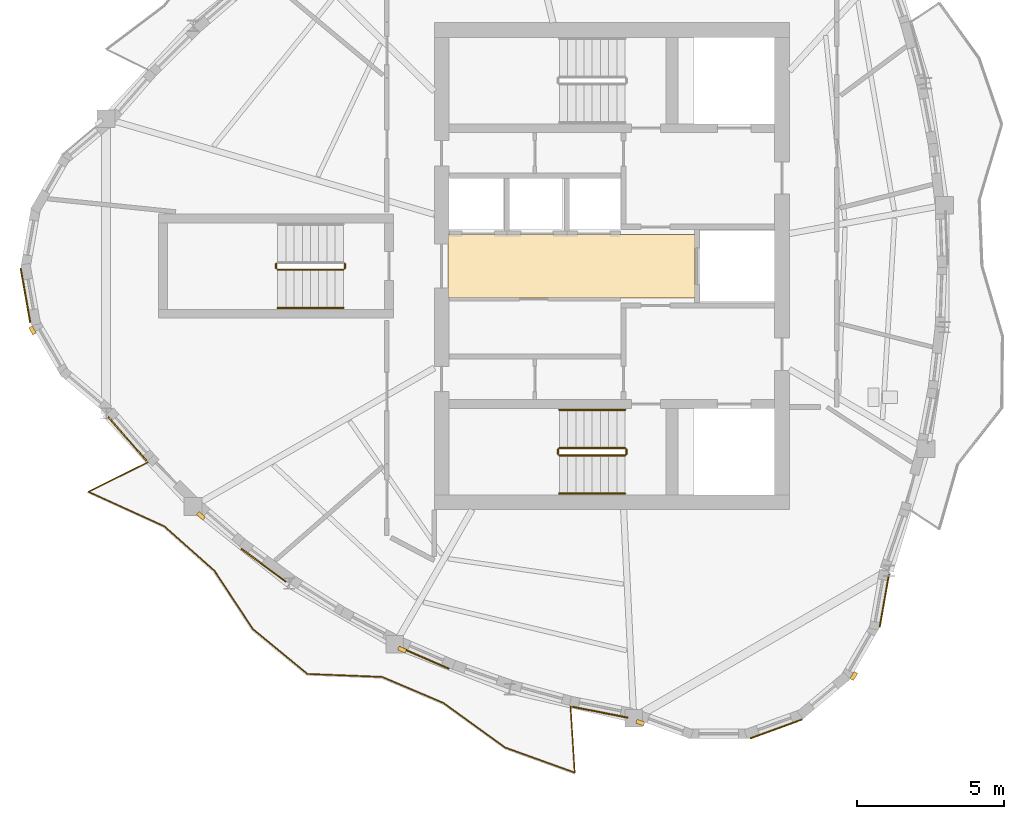
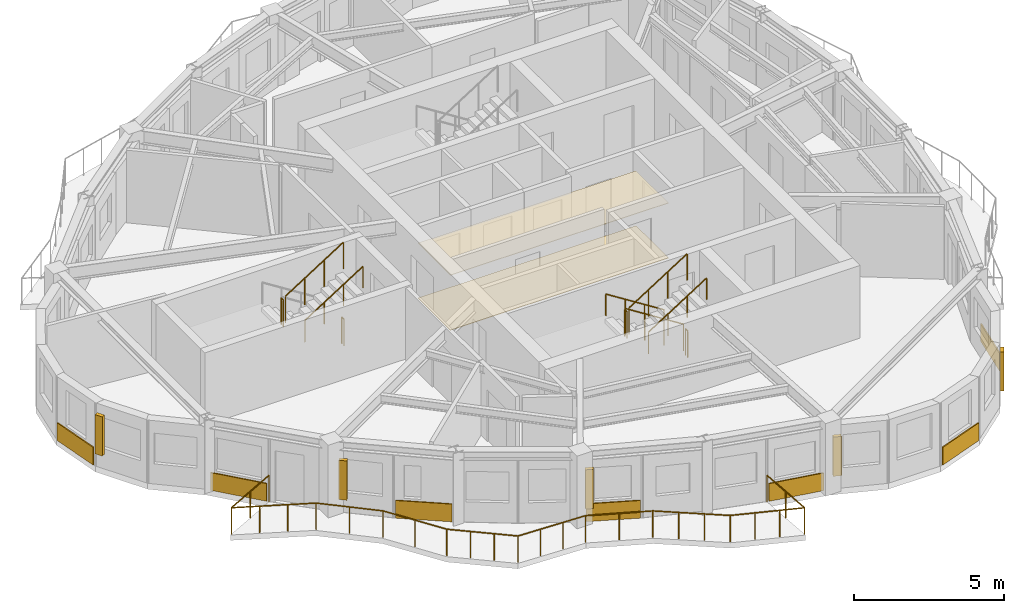
# One storey, part 8 of 11: 11 railings, 9 coverings, 5 shading devices.
"""IFC4 building model written with IfcOpenShell, lengths in metres."""

from ifc_helpers import new_model, si_unit, direction, frame, origin, origin_2d, place, context, subcontext, project, spatial, polyline, rectangle, circle, outline, extrude, source, transform, mapped, material, layer, layer_set, type_object, element, save


model = new_model("IFC4")

# Units and contexts
model_context = context("Model", 3, precision=1e-05, world=origin(), true_north=direction((0.0, 1.0)))
body_context = subcontext(model_context, "Body", "Model", "MODEL_VIEW")
ifc_project = project(units=[si_unit("LENGTHUNIT", "METRE"), si_unit("AREAUNIT", "SQUARE_METRE"), si_unit("VOLUMEUNIT", "CUBIC_METRE"), si_unit("PLANEANGLEUNIT", "RADIAN"), si_unit("MASSUNIT", "GRAM", prefix="KILO")], contexts=[model_context])

# Site, building, storey
site_placement = place(None, origin())
site = spatial("IfcSite", under=ifc_project, at=site_placement, CompositionType="ELEMENT")
building_placement = place(site_placement, origin())
building = spatial("IfcBuilding", under=site, at=building_placement, Name="Qafzar Sky-Pleat Residences", CompositionType="ELEMENT")
storey_placement = place(building_placement, frame((0.0, 0.0, 237.199951171875)))
storey = spatial("IfcBuildingStorey", under=building, at=storey_placement, Name="L71", CompositionType="ELEMENT", Elevation=237.199951171875)

# Coverings
ifc_material_1 = material(Name="Perforated acoustic gypsum board ceiling")
ifc_layer_1 = layer(ifc_material_1, 0.02001953125)
ifc_layer_set_1 = layer_set([ifc_layer_1], Name="Perforated acoustic gypsum board ceiling")
covering_type_1 = type_object("IfcCoveringType", Name="COV-CEIL-ACOUSTIC", PredefinedType="CEILING", material=ifc_layer_set_1)
covering_1_placement = place(storey_placement, frame((0.0, 0.0, 2.239990234375)))
element("IfcCovering", 1, at=covering_1_placement, inside=storey, type_object=covering_type_1, Name="L71 Passenger Lift Lobby Acoustic Ceiling", PredefinedType="CEILING", context=body_context, shape_type="SweptSolid", body=[
    extrude(outline(polyline([(33.179931640625, 24.919921875), (24.77001953125, 24.919921875), (24.77001953125, 27.080078125), (33.179931640625, 27.080078125), (33.179931640625, 24.919921875)])), origin(), (0.0, 0.0, 1.0), 0.02001953125),
])
ifc_material_2 = material(Name="Honed porcelain and Riyadh stone tile flooring", Category="masonry")
ifc_layer_2 = layer(ifc_material_2, 0.02001953125)
ifc_layer_set_2 = layer_set([ifc_layer_2], Name="Honed porcelain and Riyadh stone tile flooring")
covering_type_2 = type_object("IfcCoveringType", Name="COV-FLR-PORCELAIN", PredefinedType="FLOORING", material=ifc_layer_set_2)
covering_2_placement = place(storey_placement, origin())
element("IfcCovering", 2, at=covering_2_placement, inside=storey, type_object=covering_type_2, Name="L71 Passenger Lift Lobby Honed Stone Flooring", PredefinedType="FLOORING", context=body_context, shape_type="SweptSolid", body=[
    extrude(outline(polyline([(33.179931640625, 24.919921875), (24.77001953125, 24.919921875), (24.77001953125, 27.080078125), (33.179931640625, 27.080078125), (33.179931640625, 24.919921875)])), origin(), (0.0, 0.0, 1.0), 0.02001953125),
])

# Shading devices
ifc_material_3 = material(Name="Honed Riyadh limestone solar fin", Category="masonry")
ifc_layer_3 = layer(ifc_material_3, 0.139892578125)
ifc_layer_set_3 = layer_set([ifc_layer_3], Name="Honed Riyadh limestone solar fin")
shading_device_type = type_object("IfcShadingDeviceType", Name="SHD-FIN-STONE", PredefinedType="SHUTTER", material=ifc_layer_set_3)
shared_shape_1 = source(origin(), body_context, "Body", "SweptSolid", [
    extrude(rectangle(XDim=0.139892578125, YDim=0.280029296875, at=origin_2d()), origin(), (0.0, 0.0, 1.0), 1.60009765625),
])
for number, where, z_axis, x_axis, name in (
    (3, (10.6044921875, 23.80859375, 0.60009765625), (0.0, 0.0, 1.0), (-0.86604422228, -0.499967403994, 0.0), "L71 Limestone Solar Fin 5"),
    (4, (16.344482421875, 17.4892578125, 0.60009765625), (0.0, 0.0, 1.0), (-0.652846034361, -0.757490630582, 0.0), "L71 Limestone Solar Fin 9"),
    (5, (23.202392578125, 12.927734375, 0.60009765625), (0.0, 0.0, 1.0), (-0.398671879027, -0.917093633646, 0.0), "L71 Limestone Solar Fin 13"),
    (6, (31.318115234375, 10.443115234375, 0.60009765625), (0.0, 0.0, 1.0), (-0.342010122116, -0.939696268148, 0.0), "L71 Limestone Solar Fin 17"),
    (7, (38.595458984375, 12.03076171875, 0.60009765625), (0.0, 0.0, 1.0), (0.86603181203, -0.499988900429, 0.0), "L71 Limestone Solar Fin 21"),
):
    element("IfcShadingDevice", number, at=place(storey_placement, frame(where, z_axis=z_axis, x_axis=x_axis)), inside=storey, type_object=shading_device_type, Name=name, PredefinedType="SHUTTER", context=body_context, shape_type="MappedRepresentation", body=[
        mapped(shared_shape_1, transform((0.0, 0.0, 0.0), x_axis=(1.0, 0.0, 0.0), y_axis=(0.0, 1.0, 0.0), z_axis=(0.0, 0.0, 1.0), scale=1.0)),
    ])

# Coverings
ifc_material_4 = material(Name="Honed Riyadh Tuwaiq limestone cladding", Category="masonry")
ifc_layer_4 = layer(ifc_material_4, 0.044921875)
ifc_layer_set_4 = layer_set([ifc_layer_4], Name="Honed Riyadh Tuwaiq limestone cladding")
covering_type_3 = type_object("IfcCoveringType", Name="COV-CLAD-STONE", PredefinedType="CLADDING", material=ifc_layer_set_4)
shared_shape_2 = source(origin(), body_context, "Body", "SweptSolid", [
    extrude(rectangle(XDim=1.88134765625, YDim=0.044921875, at=origin_2d()), origin(), (0.0, 0.0, 1.0), 0.719970703125),
])
covering_3_placement = place(storey_placement, frame((10.36328125, 25.00439453125, 0.02001953125), z_axis=(0.0, 0.0, 1.0), x_axis=(0.173662519465, -0.984805224059, 0.0)))
element("IfcCovering", 8, at=covering_3_placement, inside=storey, type_object=covering_type_3, Name="L71 Riyadh Limestone Spandrel Cladding 4", PredefinedType="CLADDING", context=body_context, shape_type="MappedRepresentation", body=[
    mapped(shared_shape_2, transform((0.0, 0.0, 0.0), x_axis=(1.0, 0.0, 0.0), y_axis=(0.0, 1.0, 0.0), z_axis=(0.0, 0.0, 1.0), scale=1.0)),
])
shared_shape_3 = source(origin(), body_context, "Body", "SweptSolid", [
    extrude(rectangle(XDim=1.8291015625, YDim=0.044921875, at=origin_2d()), origin(), (0.0, 0.0, 1.0), 0.719970703125),
])
covering_4_placement = place(storey_placement, frame((39.63671875, 14.592041015625, 0.02001953125), z_axis=(0.0, 0.0, 1.0), x_axis=(0.173687091871, 0.984800890595, 0.0)))
element("IfcCovering", 9, at=covering_4_placement, inside=storey, type_object=covering_type_3, Name="L71 Riyadh Limestone Spandrel Cladding 22", PredefinedType="CLADDING", context=body_context, shape_type="MappedRepresentation", body=[
    mapped(shared_shape_3, transform((0.0, 0.0, 0.0), x_axis=(1.0, 0.0, 0.0), y_axis=(0.0, 1.0, 0.0), z_axis=(0.0, 0.0, 1.0), scale=1.0)),
])
shared_shape_4 = source(origin(), body_context, "Body", "SweptSolid", [
    extrude(rectangle(XDim=1.881103515625, YDim=0.044921875, at=origin_2d()), origin(), (0.0, 0.0, 1.0), 0.719970703125),
])
covering_5_placement = place(storey_placement, frame((35.9560546875, 10.228271484375, 0.02001953125), z_axis=(0.0, 0.0, 1.0), x_axis=(0.939709584691, 0.341973531784, 0.0)))
element("IfcCovering", 10, at=covering_5_placement, inside=storey, type_object=covering_type_3, Name="L71 Riyadh Limestone Spandrel Cladding 19", PredefinedType="CLADDING", context=body_context, shape_type="MappedRepresentation", body=[
    mapped(shared_shape_4, transform((0.0, 0.0, 0.0), x_axis=(1.0, 0.0, 0.0), y_axis=(0.0, 1.0, 0.0), z_axis=(0.0, 0.0, 1.0), scale=1.0)),
])

# Railing
ifc_material_5 = material(Name="Laminated glass and bronze steel balustrade", Category="steel")
railing_type_1 = type_object("IfcRailingType", Name="RAIL-BAL-1100", PredefinedType="BALUSTRADE", material=ifc_material_5)
shared_shape_5 = source(origin(), body_context, "Body", "SweptSolid", [
    extrude(circle(Radius=0.02392578125, at=origin_2d()), frame((0.0, 0.0, 1.076171875), z_axis=(-0.89564942383, -0.444760732971, 0.0), x_axis=(0.444760732971, -0.89564942383, 0.0)), (0.0, 0.0, 1.0), 2.27099609375),
    extrude(circle(Radius=0.02392578125, at=origin_2d()), frame((-2.033935546875, -1.010009765625, 1.076171875), z_axis=(0.910366477463, -0.413802944301, 0.0), x_axis=(0.413802944301, 0.910366477463, 0.0)), (0.0, 0.0, 1.0), 2.8408203125),
    extrude(circle(Radius=0.02392578125, at=origin_2d()), frame((0.55224609375, -2.185546875, 1.076171875), z_axis=(0.748363819433, -0.663288469494, 0.0), x_axis=(0.663288469494, 0.748363819433, 0.0)), (0.0, 0.0, 1.0), 2.2841796875),
    extrude(circle(Radius=0.02392578125, at=origin_2d()), frame((2.26171875, -3.70068359375, 1.076171875), z_axis=(0.550173671464, -0.835050256708, 0.0), x_axis=(0.835050256708, 0.550173671464, 0.0)), (0.0, 0.0, 1.0), 2.381591796875),
    extrude(circle(Radius=0.02392578125, at=origin_2d()), frame((3.572021484375, -5.689453125, 1.076171875), z_axis=(0.772459752686, -0.63506372159, 0.0), x_axis=(0.63506372159, 0.772459752686, 0.0)), (0.0, 0.0, 1.0), 2.40771484375),
    extrude(circle(Radius=0.02392578125, at=origin_2d()), frame((5.431884765625, -7.218505859375, 1.076171875), z_axis=(0.99920889914, -0.039769031662, 0.0), x_axis=(0.039769031662, 0.99920889914, 0.0)), (0.0, 0.0, 1.0), 2.547607421875),
    extrude(circle(Radius=0.02392578125, at=origin_2d()), frame((7.9775390625, -7.31982421875, 1.076171875), z_axis=(0.920510173291, -0.390718595498, 0.0), x_axis=(0.390718595498, 0.920510173291, 0.0)), (0.0, 0.0, 1.0), 2.266357421875),
    extrude(circle(Radius=0.02392578125, at=origin_2d()), frame((10.063720703125, -8.205322265625, 1.076171875), z_axis=(0.810582500659, -0.58562446126, 0.0), x_axis=(0.58562446126, 0.810582500659, 0.0)), (0.0, 0.0, 1.0), 2.595947265625),
    extrude(circle(Radius=0.02392578125, at=origin_2d()), frame((12.16796875, -9.7255859375, 1.076171875), z_axis=(0.940896046859, -0.338695481231, 0.0), x_axis=(0.338695481231, 0.940896046859, 0.0)), (0.0, 0.0, 1.0), 2.52294921875),
    extrude(circle(Radius=0.02392578125, at=origin_2d()), frame((14.541748046875, -10.580078125, 1.076171875), z_axis=(-0.062679484192, 0.998033707979, 0.0), x_axis=(-0.998033707979, -0.062679484192, 0.0)), (0.0, 0.0, 1.0), 2.270751953125),
    extrude(circle(Radius=0.02099609375, at=origin_2d()), origin(), (0.0, 0.0, 1.0), 1.052001953125),
    extrude(circle(Radius=0.02099609375, at=origin_2d()), frame((-1.01708984375, -0.5048828125, 0.0)), (0.0, 0.0, 1.0), 1.052001953125),
    extrude(circle(Radius=0.02099609375, at=origin_2d()), frame((-2.033935546875, -1.010009765625, 0.0)), (0.0, 0.0, 1.0), 1.052001953125),
    extrude(circle(Radius=0.02099609375, at=origin_2d()), frame((-1.171875, -1.40185546875, 0.0)), (0.0, 0.0, 1.0), 1.052001953125),
    extrude(circle(Radius=0.02099609375, at=origin_2d()), frame((-0.309814453125, -1.793701171875, 0.0)), (0.0, 0.0, 1.0), 1.052001953125),
    extrude(circle(Radius=0.02099609375, at=origin_2d()), frame((0.55224609375, -2.185546875, 0.0)), (0.0, 0.0, 1.0), 1.052001953125),
    extrude(circle(Radius=0.02099609375, at=origin_2d()), frame((1.406982421875, -2.943115234375, 0.0)), (0.0, 0.0, 1.0), 1.052001953125),
    extrude(circle(Radius=0.02099609375, at=origin_2d()), frame((2.26171875, -3.70068359375, 0.0)), (0.0, 0.0, 1.0), 1.052001953125),
    extrude(circle(Radius=0.02099609375, at=origin_2d()), frame((2.9169921875, -4.695068359375, 0.0)), (0.0, 0.0, 1.0), 1.052001953125),
    extrude(circle(Radius=0.02099609375, at=origin_2d()), frame((3.572021484375, -5.689453125, 0.0)), (0.0, 0.0, 1.0), 1.052001953125),
    extrude(circle(Radius=0.02099609375, at=origin_2d()), frame((4.19189453125, -6.19921875, 0.0)), (0.0, 0.0, 1.0), 1.052001953125),
    extrude(circle(Radius=0.02099609375, at=origin_2d()), frame((4.81201171875, -6.708740234375, 0.0)), (0.0, 0.0, 1.0), 1.052001953125),
    extrude(circle(Radius=0.02099609375, at=origin_2d()), frame((5.431884765625, -7.218505859375, 0.0)), (0.0, 0.0, 1.0), 1.052001953125),
    extrude(circle(Radius=0.02099609375, at=origin_2d()), frame((6.280517578125, -7.252197265625, 0.0)), (0.0, 0.0, 1.0), 1.052001953125),
    extrude(circle(Radius=0.02099609375, at=origin_2d()), frame((7.12890625, -7.2861328125, 0.0)), (0.0, 0.0, 1.0), 1.052001953125),
    extrude(circle(Radius=0.02099609375, at=origin_2d()), frame((7.9775390625, -7.31982421875, 0.0)), (0.0, 0.0, 1.0), 1.052001953125),
    extrude(circle(Radius=0.02099609375, at=origin_2d()), frame((9.0205078125, -7.7626953125, 0.0)), (0.0, 0.0, 1.0), 1.052001953125),
    extrude(circle(Radius=0.02099609375, at=origin_2d()), frame((10.063720703125, -8.205322265625, 0.0)), (0.0, 0.0, 1.0), 1.052001953125),
    extrude(circle(Radius=0.02099609375, at=origin_2d()), frame((10.76513671875, -8.712158203125, 0.0)), (0.0, 0.0, 1.0), 1.052001953125),
    extrude(circle(Radius=0.02099609375, at=origin_2d()), frame((11.466552734375, -9.21875, 0.0)), (0.0, 0.0, 1.0), 1.052001953125),
    extrude(circle(Radius=0.02099609375, at=origin_2d()), frame((12.16796875, -9.7255859375, 0.0)), (0.0, 0.0, 1.0), 1.052001953125),
    extrude(circle(Radius=0.02099609375, at=origin_2d()), frame((12.959228515625, -10.010498046875, 0.0)), (0.0, 0.0, 1.0), 1.052001953125),
    extrude(circle(Radius=0.02099609375, at=origin_2d()), frame((13.75048828125, -10.295166015625, 0.0)), (0.0, 0.0, 1.0), 1.052001953125),
    extrude(circle(Radius=0.02099609375, at=origin_2d()), frame((14.541748046875, -10.580078125, 0.0)), (0.0, 0.0, 1.0), 1.052001953125),
    extrude(circle(Radius=0.02099609375, at=origin_2d()), frame((14.470703125, -9.44677734375, 0.0)), (0.0, 0.0, 1.0), 1.052001953125),
    extrude(circle(Radius=0.02099609375, at=origin_2d()), frame((14.3994140625, -8.313720703125, 0.0)), (0.0, 0.0, 1.0), 1.052001953125),
])
railing_1_placement = place(storey_placement, frame((14.542724609375, 19.318359375, 0.0)))
element("IfcRailing", 11, at=railing_1_placement, inside=storey, type_object=railing_type_1, Name="L71 Pleated Balcony 3 Balustrade", PredefinedType="BALUSTRADE", context=body_context, shape_type="MappedRepresentation", body=[
    mapped(shared_shape_5, transform((0.0, 0.0, 0.0), x_axis=(1.0, 0.0, 0.0), y_axis=(0.0, 1.0, 0.0), z_axis=(0.0, 0.0, 1.0), scale=1.0)),
])

# Coverings
shared_shape_6 = source(origin(), body_context, "Body", "SweptSolid", [
    extrude(rectangle(XDim=1.99169921875, YDim=0.044921875, at=origin_2d()), origin(), (0.0, 0.0, 1.0), 0.719970703125),
])
covering_6_placement = place(storey_placement, frame((13.834228515625, 20.114013671875, 0.02001953125), z_axis=(0.0, 0.0, 1.0), x_axis=(0.657605136611, -0.753362783991, 0.0)))
element("IfcCovering", 12, at=covering_6_placement, inside=storey, type_object=covering_type_3, Name="L71 Riyadh Limestone Spandrel Cladding 7", PredefinedType="CLADDING", context=body_context, shape_type="MappedRepresentation", body=[
    mapped(shared_shape_6, transform((0.0, 0.0, 0.0), x_axis=(1.0, 0.0, 0.0), y_axis=(0.0, 1.0, 0.0), z_axis=(0.0, 0.0, 1.0), scale=1.0)),
])
shared_shape_7 = source(origin(), body_context, "Body", "SweptSolid", [
    extrude(rectangle(XDim=1.897216796875, YDim=0.044921875, at=origin_2d()), origin(), (0.0, 0.0, 1.0), 0.719970703125),
])
covering_7_placement = place(storey_placement, frame((18.48046875, 15.8046875, 0.02001953125), z_axis=(0.0, 0.0, 1.0), x_axis=(0.803820124784, -0.594872429174, 0.0)))
element("IfcCovering", 13, at=covering_7_placement, inside=storey, type_object=covering_type_3, Name="L71 Riyadh Limestone Spandrel Cladding 10", PredefinedType="CLADDING", context=body_context, shape_type="MappedRepresentation", body=[
    mapped(shared_shape_7, transform((0.0, 0.0, 0.0), x_axis=(1.0, 0.0, 0.0), y_axis=(0.0, 1.0, 0.0), z_axis=(0.0, 0.0, 1.0), scale=1.0)),
])
shared_shape_8 = source(origin(), body_context, "Body", "SweptSolid", [
    extrude(rectangle(XDim=1.83447265625, YDim=0.044921875, at=origin_2d()), origin(), (0.0, 0.0, 1.0), 0.719970703125),
])
covering_8_placement = place(storey_placement, frame((23.96240234375, 12.644287109375, 0.02001953125), z_axis=(0.0, 0.0, 1.0), x_axis=(0.917087215787, -0.398686642165, 0.0)))
element("IfcCovering", 14, at=covering_8_placement, inside=storey, type_object=covering_type_3, Name="L71 Riyadh Limestone Spandrel Cladding 13", PredefinedType="CLADDING", context=body_context, shape_type="MappedRepresentation", body=[
    mapped(shared_shape_8, transform((0.0, 0.0, 0.0), x_axis=(1.0, 0.0, 0.0), y_axis=(0.0, 1.0, 0.0), z_axis=(0.0, 0.0, 1.0), scale=1.0)),
])
shared_shape_9 = source(origin(), body_context, "Body", "SweptSolid", [
    extrude(rectangle(XDim=1.928466796875, YDim=0.044921875, at=origin_2d()), origin(), (0.0, 0.0, 1.0), 0.719970703125),
])
covering_9_placement = place(storey_placement, frame((29.951171875, 10.7958984375, 0.02001953125), z_axis=(0.0, 0.0, 1.0), x_axis=(0.98123037455, -0.192839187047, 0.0)))
element("IfcCovering", 15, at=covering_9_placement, inside=storey, type_object=covering_type_3, Name="L71 Riyadh Limestone Spandrel Cladding 16", PredefinedType="CLADDING", context=body_context, shape_type="MappedRepresentation", body=[
    mapped(shared_shape_9, transform((0.0, 0.0, 0.0), x_axis=(1.0, 0.0, 0.0), y_axis=(0.0, 1.0, 0.0), z_axis=(0.0, 0.0, 1.0), scale=1.0)),
])

# Railings
ifc_material_6 = material(Name="Painted Steel S355 stair guardrail", Category="steel")
railing_type_2 = type_object("IfcRailingType", Name="RAIL-STAIR-GUARD", PredefinedType="GUARDRAIL", material=ifc_material_6)
shared_shape_10 = source(origin(), body_context, "Body", "SweptSolid", [
    extrude(circle(Radius=0.02392578125, at=origin_2d()), frame((0.0, 0.0, 1.076171875), z_axis=(0.0, -1.0, 0.0), x_axis=(1.0, 0.0, 0.0)), (0.0, 0.0, 1.0), 0.14990234375),
    extrude(circle(Radius=0.02099609375, at=origin_2d()), origin(), (0.0, 0.0, 1.0), 1.052001953125),
    extrude(circle(Radius=0.02099609375, at=origin_2d()), frame((0.0, -0.14990234375, 0.0)), (0.0, 0.0, 1.0), 1.052001953125),
])
for number, where, name in (
    (16, (28.510009765625, 19.75, 1.60009765625), "L71 ST1 stair guard 2"),
    (17, (30.85009765625, 19.75, 0.0), "L71 ST1 stair guard 4"),
    (18, (18.909912109375, 26.074951171875, 1.60009765625), "L71 ST3 stair guard 2"),
    (19, (21.25, 26.074951171875, 0.0), "L71 ST3 stair guard 4"),
):
    element("IfcRailing", number, at=place(storey_placement, frame(where)), inside=storey, type_object=railing_type_2, Name=name, PredefinedType="GUARDRAIL", context=body_context, shape_type="MappedRepresentation", body=[
        mapped(shared_shape_10, transform((0.0, 0.0, 0.0), x_axis=(1.0, 0.0, 0.0), y_axis=(0.0, 1.0, 0.0), z_axis=(0.0, 0.0, 1.0), scale=1.0)),
    ])
shared_shape_11 = source(origin(), body_context, "Body", "SweptSolid", [
    extrude(circle(Radius=0.02392578125, at=origin_2d()), frame((0.0, 0.0, 1.076171875), z_axis=(0.8442293374, 0.0, 0.53598211339), x_axis=(0.0, 1.0, 0.0)), (0.0, 0.0, 1.0), 2.6533203125),
    extrude(circle(Radius=0.02099609375, at=origin_2d()), origin(), (0.0, 0.0, 1.0), 1.052001953125),
    extrude(circle(Radius=0.02099609375, at=origin_2d()), frame((0.74658203125, 0.0, 0.47412109375)), (0.0, 0.0, 1.0), 1.052001953125),
    extrude(circle(Radius=0.02099609375, at=origin_2d()), frame((1.493408203125, 0.0, 0.947998046875)), (0.0, 0.0, 1.0), 1.052001953125),
    extrude(circle(Radius=0.02099609375, at=origin_2d()), frame((2.239990234375, 0.0, 1.422119140625)), (0.0, 0.0, 1.0), 1.052001953125),
])
for number, where, name in (
    (20, (28.56005859375, 19.550048828125, 1.77783203125), "L71 ST1 stair guard 3"),
    (21, (18.9599609375, 25.875, 1.77783203125), "L71 ST3 stair guard 3"),
):
    element("IfcRailing", number, at=place(storey_placement, frame(where)), inside=storey, type_object=railing_type_2, Name=name, PredefinedType="GUARDRAIL", context=body_context, shape_type="MappedRepresentation", body=[
        mapped(shared_shape_11, transform((0.0, 0.0, 0.0), x_axis=(1.0, 0.0, 0.0), y_axis=(0.0, 1.0, 0.0), z_axis=(0.0, 0.0, 1.0), scale=1.0)),
    ])
ifc_material_7 = material(Name="Brushed stainless steel handrail", Category="steel")
railing_type_3 = type_object("IfcRailingType", Name="RAIL-STAIR-HAND", PredefinedType="HANDRAIL", material=ifc_material_7)
shared_shape_12 = source(origin(), body_context, "Body", "SweptSolid", [
    extrude(circle(Radius=0.02392578125, at=origin_2d()), frame((0.0, 0.0, 0.8759765625), z_axis=(0.8442293374, 0.0, 0.53598211339), x_axis=(0.0, 1.0, 0.0)), (0.0, 0.0, 1.0), 2.6533203125),
    extrude(circle(Radius=0.02099609375, at=origin_2d()), origin(), (0.0, 0.0, 1.0), 0.851806640625),
    extrude(circle(Radius=0.02099609375, at=origin_2d()), frame((0.74658203125, 0.0, 0.47412109375)), (0.0, 0.0, 1.0), 0.851806640625),
    extrude(circle(Radius=0.02099609375, at=origin_2d()), frame((1.493408203125, 0.0, 0.947998046875)), (0.0, 0.0, 1.0), 0.851806640625),
    extrude(circle(Radius=0.02099609375, at=origin_2d()), frame((2.239990234375, 0.0, 1.422119140625)), (0.0, 0.0, 1.0), 0.851806640625),
])
for number, where, name in (
    (22, (28.56005859375, 18.25, 1.77783203125), "L71 ST1 stair handrail 2"),
    (23, (18.9599609375, 24.574951171875, 1.77783203125), "L71 ST3 stair handrail 2"),
):
    element("IfcRailing", number, at=place(storey_placement, frame(where)), inside=storey, type_object=railing_type_3, Name=name, PredefinedType="HANDRAIL", context=body_context, shape_type="MappedRepresentation", body=[
        mapped(shared_shape_12, transform((0.0, 0.0, 0.0), x_axis=(1.0, 0.0, 0.0), y_axis=(0.0, 1.0, 0.0), z_axis=(0.0, 0.0, 1.0), scale=1.0)),
    ])
shared_shape_13 = source(origin(), body_context, "Body", "SweptSolid", [
    extrude(circle(Radius=0.02392578125, at=origin_2d()), frame((0.0, 0.0, 1.076171875), z_axis=(-0.84418770128, 0.0, 0.536047689118), x_axis=(0.0, -1.0, 0.0)), (0.0, 0.0, 1.0), 2.6533203125),
    extrude(circle(Radius=0.02099609375, at=origin_2d()), origin(), (0.0, 0.0, 1.0), 1.052001953125),
    extrude(circle(Radius=0.02099609375, at=origin_2d()), frame((-0.74658203125, 0.0, 0.47412109375)), (0.0, 0.0, 1.0), 1.052001953125),
    extrude(circle(Radius=0.02099609375, at=origin_2d()), frame((-1.493408203125, 0.0, 0.9482421875)), (0.0, 0.0, 1.0), 1.052001953125),
    extrude(circle(Radius=0.02099609375, at=origin_2d()), frame((-2.239990234375, 0.0, 1.42236328125)), (0.0, 0.0, 1.0), 1.052001953125),
])
railing_2_placement = place(storey_placement, frame((30.800048828125, 19.800048828125, 0.177734375)))
element("IfcRailing", 24, at=railing_2_placement, inside=storey, type_object=railing_type_2, Name="L71 ST1 stair guard 1", PredefinedType="GUARDRAIL", context=body_context, shape_type="MappedRepresentation", body=[
    mapped(shared_shape_13, transform((0.0, 0.0, 0.0), x_axis=(1.0, 0.0, 0.0), y_axis=(0.0, 1.0, 0.0), z_axis=(0.0, 0.0, 1.0), scale=1.0)),
])
shared_shape_14 = source(origin(), body_context, "Body", "SweptSolid", [
    extrude(circle(Radius=0.02392578125, at=origin_2d()), frame((0.0, 0.0, 0.8759765625), z_axis=(-0.84418770128, 0.0, 0.536047689118), x_axis=(0.0, -1.0, 0.0)), (0.0, 0.0, 1.0), 2.6533203125),
    extrude(circle(Radius=0.02099609375, at=origin_2d()), origin(), (0.0, 0.0, 1.0), 0.851806640625),
    extrude(circle(Radius=0.02099609375, at=origin_2d()), frame((-0.74658203125, 0.0, 0.47412109375)), (0.0, 0.0, 1.0), 0.851806640625),
    extrude(circle(Radius=0.02099609375, at=origin_2d()), frame((-1.493408203125, 0.0, 0.9482421875)), (0.0, 0.0, 1.0), 0.851806640625),
    extrude(circle(Radius=0.02099609375, at=origin_2d()), frame((-2.239990234375, 0.0, 1.42236328125)), (0.0, 0.0, 1.0), 0.851806640625),
])
railing_3_placement = place(storey_placement, frame((30.800048828125, 21.10009765625, 0.177734375)))
element("IfcRailing", 25, at=railing_3_placement, inside=storey, type_object=railing_type_3, Name="L71 ST1 stair handrail 1", PredefinedType="HANDRAIL", context=body_context, shape_type="MappedRepresentation", body=[
    mapped(shared_shape_14, transform((0.0, 0.0, 0.0), x_axis=(1.0, 0.0, 0.0), y_axis=(0.0, 1.0, 0.0), z_axis=(0.0, 0.0, 1.0), scale=1.0)),
])

save(model, "model.ifc")
